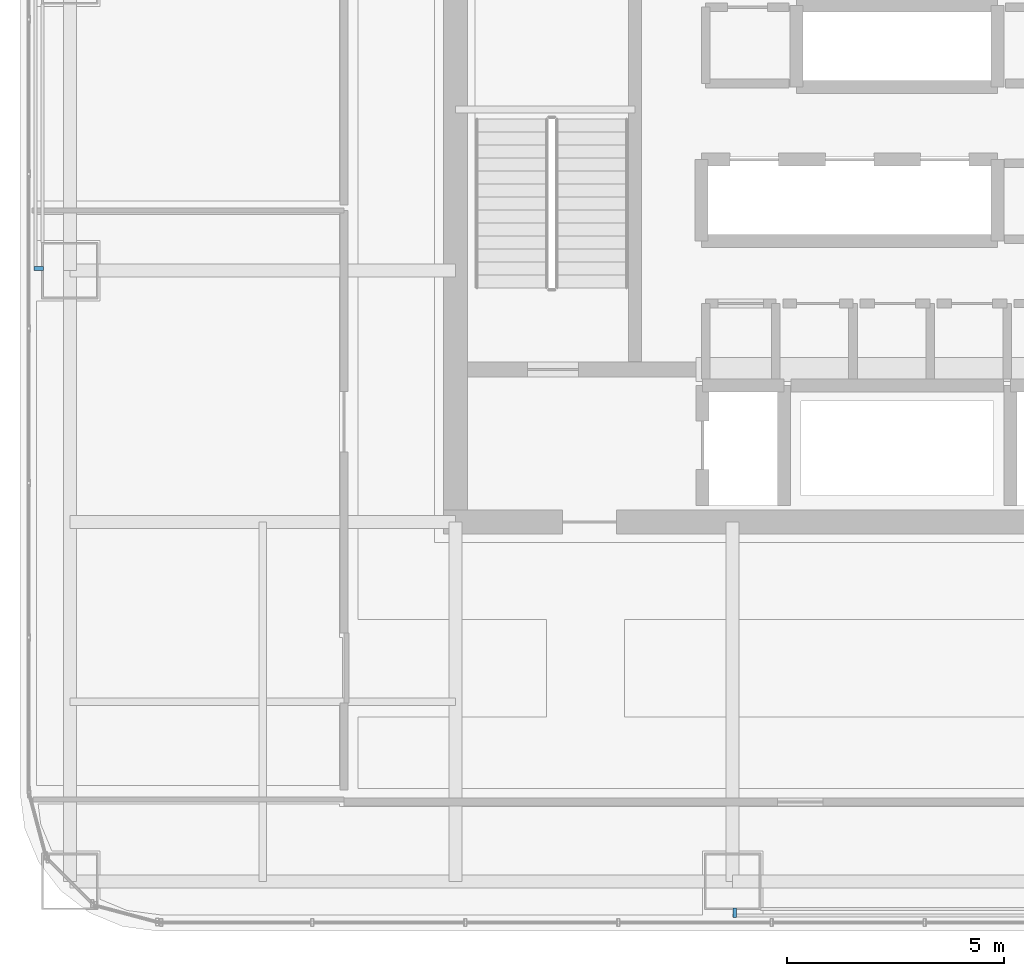
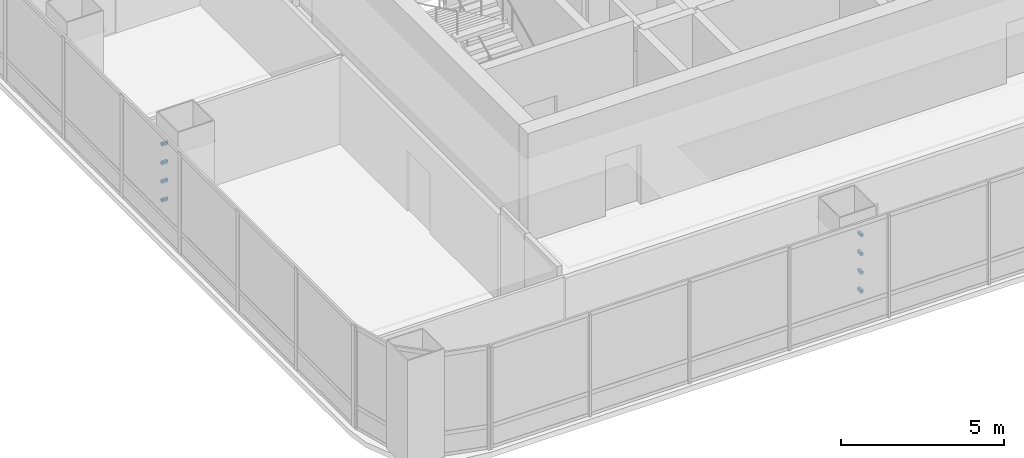
# One storey, part 36 of 40: 8 discrete accessories.
"""IFC4 building model written with IfcOpenShell, lengths in metres."""

from ifc_helpers import new_model, si_unit, direction, frame, origin, origin_2d, place, context, subcontext, project, spatial, rectangle, extrude, material, type_object, element, save


model = new_model("IFC4")

# Units and contexts
model_context = context("Model", 3, precision=1e-05, world=origin(), true_north=direction((0.0, 1.0)))
body_context = subcontext(model_context, "Body", "Model", "MODEL_VIEW")
ifc_project = project(units=[si_unit("LENGTHUNIT", "METRE"), si_unit("AREAUNIT", "SQUARE_METRE"), si_unit("VOLUMEUNIT", "CUBIC_METRE"), si_unit("PLANEANGLEUNIT", "RADIAN"), si_unit("MASSUNIT", "GRAM", prefix="KILO")], contexts=[model_context])

# Site, building, storey
site_placement = place(None, origin())
site = spatial("IfcSite", under=ifc_project, at=site_placement, CompositionType="ELEMENT")
building_placement = place(site_placement, origin())
building = spatial("IfcBuilding", under=site, at=building_placement, Name="Punatoya Terracotta Tower", CompositionType="ELEMENT")
storey_placement = place(building_placement, frame((0.0, 0.0, 271.64990234375)))
storey = spatial("IfcBuildingStorey", under=building, at=storey_placement, Name="L64", CompositionType="ELEMENT", Elevation=271.64990234375)

# Discrete accessories
ifc_material = material(Name="Steel S355", Category="steel")
discrete_accessory_type = type_object("IfcDiscreteAccessoryType", Name="ACC-BRK-220", PredefinedType="BRACKET", material=ifc_material)
for number, where, z_axis, x_axis, name in (
    (1, (-3.75, -18.219970703125, 1.10009765625), (0.0, 0.0, 1.0), (1.0, 0.0, 0.0), "L64 Baguette Louvre Column Bracket BAG-L64-S-01"),
    (2, (-3.75, -18.219970703125, 1.800048828125), (0.0, 0.0, 1.0), (1.0, 0.0, 0.0), "L64 Baguette Louvre Column Bracket BAG-L64-S-02"),
    (3, (-3.75, -18.219970703125, 2.5), (0.0, 0.0, 1.0), (1.0, 0.0, 0.0), "L64 Baguette Louvre Column Bracket BAG-L64-S-03"),
    (4, (-3.75, -18.219970703125, 3.199951171875), (0.0, 0.0, 1.0), (1.0, 0.0, 0.0), "L64 Baguette Louvre Column Bracket BAG-L64-S-04"),
    (5, (-19.820068359375, -3.35009765625, 1.10009765625), (0.0, 0.0, 1.0), (0.0, 1.0, 0.0), "L64 Baguette Louvre Column Bracket BAG-L64-W-01"),
    (6, (-19.820068359375, -3.35009765625, 1.800048828125), (0.0, 0.0, 1.0), (0.0, 1.0, 0.0), "L64 Baguette Louvre Column Bracket BAG-L64-W-02"),
    (7, (-19.820068359375, -3.35009765625, 2.5), (0.0, 0.0, 1.0), (0.0, 1.0, 0.0), "L64 Baguette Louvre Column Bracket BAG-L64-W-03"),
    (8, (-19.820068359375, -3.35009765625, 3.199951171875), (0.0, 0.0, 1.0), (0.0, 1.0, 0.0), "L64 Baguette Louvre Column Bracket BAG-L64-W-04"),
):
    element("IfcDiscreteAccessory", number, at=place(storey_placement, frame(where, z_axis=z_axis, x_axis=x_axis)), inside=storey, type_object=discrete_accessory_type, Name=name, PredefinedType="BRACKET", context=body_context, shape_type="SweptSolid", body=[
        extrude(rectangle(XDim=0.090087890625, YDim=0.219970703125, at=origin_2d()), origin(), (0.0, 0.0, 1.0), 0.10009765625),
    ])

save(model, "model.ifc")
